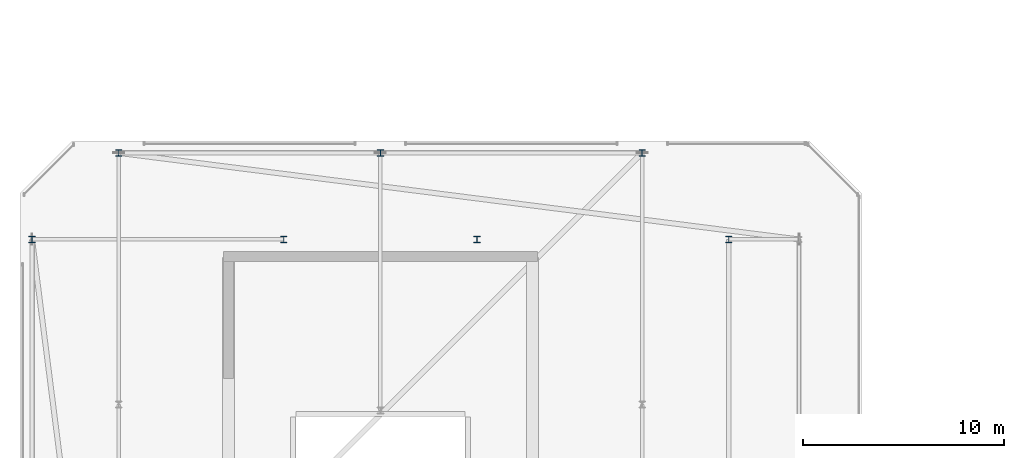
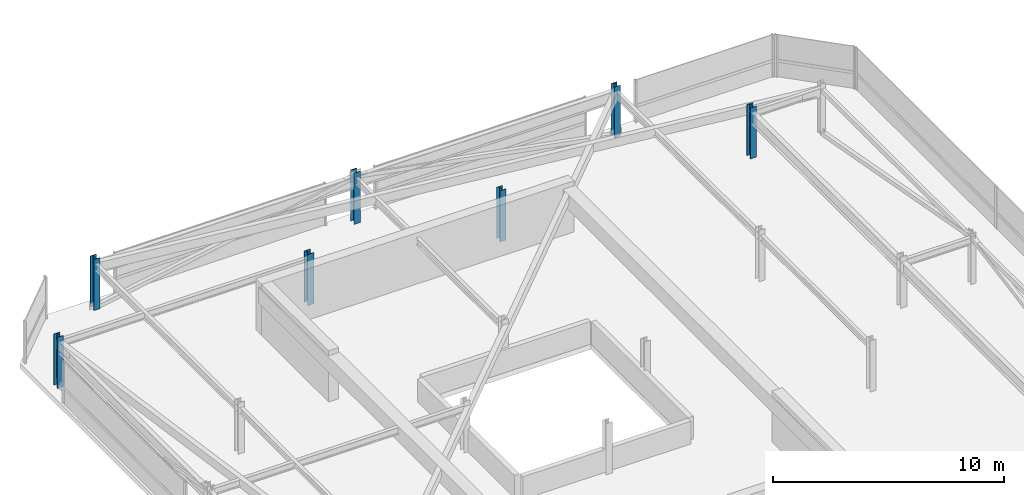
# One storey, part 4 of 44: 7 columns.
"""IFC4 building model written with IfcOpenShell, lengths in metres."""

from ifc_helpers import new_model, si_unit, direction, frame, origin, origin_2d, place, context, subcontext, project, spatial, i_section, extrude, material, material_profile, profile_set, type_object, element, save


model = new_model("IFC4")

# Units and contexts
model_context = context("Model", 3, precision=1e-05, world=origin(), true_north=direction((0.0, 1.0)))
body_context = subcontext(model_context, "Body", "Model", "MODEL_VIEW")
ifc_project = project(units=[si_unit("LENGTHUNIT", "METRE"), si_unit("AREAUNIT", "SQUARE_METRE"), si_unit("VOLUMEUNIT", "CUBIC_METRE"), si_unit("PLANEANGLEUNIT", "RADIAN"), si_unit("MASSUNIT", "GRAM", prefix="KILO")], contexts=[model_context])

# Site, building, storey
site_placement = place(None, origin())
site = spatial("IfcSite", under=ifc_project, at=site_placement, CompositionType="ELEMENT")
building_placement = place(site_placement, origin())
building = spatial("IfcBuilding", under=site, at=building_placement, Name="Thornwick Lancets Civic Towers", CompositionType="ELEMENT")
storey_placement = place(building_placement, frame((0.0, 0.0, 292.199951171875)))
storey = spatial("IfcBuildingStorey", under=building, at=storey_placement, Name="C05", CompositionType="ELEMENT", Elevation=292.199951171875)

# Columns
ifc_material = material(Name="Steel S355JR", Category="steel")
ifc_material_profile = material_profile(ifc_material, i_section(OverallWidth=0.30908203125, OverallDepth=0.320556640625, WebThickness=0.013916015625, FlangeThickness=0.021728515625, FilletRadius=0.01513671875, at=origin_2d()), Name="UKC 305x305x137")
ifc_profile_set = profile_set([ifc_material_profile], Name="Steel S355JR")
column_type = type_object("IfcColumnType", Name="COL_UKC_137", PredefinedType="COLUMN", material=ifc_profile_set)
for number, where, z_axis, x_axis, name in (
    (1, (42.800048828125, 40.0, 0.0), (0.0, 0.0, 1.0), (1.0, 0.0, 0.0), "C05 Spine Mega-Column A06"),
    (2, (12.5, 44.300048828125, 0.0), (0.0, 0.0, 1.0), (1.0, 0.0, 0.0), "C05 Spine Mega-Column A07"),
    (3, (25.5, 44.300048828125, 0.0), (0.0, 0.0, 1.0), (1.0, 0.0, 0.0), "C05 Spine Mega-Column A08"),
    (4, (38.5, 44.300048828125, 0.0), (0.0, 0.0, 1.0), (1.0, 0.0, 0.0), "C05 Spine Mega-Column A09"),
    (5, (8.199951171875, 40.0, 0.0), (0.0, 0.0, 1.0), (1.0, 0.0, 0.0), "C05 Spine Mega-Column A12"),
    (6, (20.699951171875, 40.0, 0.0), (0.0, 0.0, 1.0), (1.0, 0.0, 0.0), "C05 Spine Mega-Column A19"),
    (7, (30.300048828125, 40.0, 0.0), (0.0, 0.0, 1.0), (1.0, 0.0, 0.0), "C05 Spine Mega-Column A20"),
):
    element("IfcColumn", number, at=place(storey_placement, frame(where, z_axis=z_axis, x_axis=x_axis)), inside=storey, type_object=column_type, Name=name, PredefinedType="COLUMN", context=body_context, shape_type="SweptSolid", body=[
        extrude(i_section(OverallWidth=0.30908203125, OverallDepth=0.320556640625, WebThickness=0.013916015625, FlangeThickness=0.021728515625, FilletRadius=0.01513671875, at=origin_2d()), origin(), (0.0, 0.0, 1.0), 2.699951171875),
    ])

save(model, "model.ifc")
